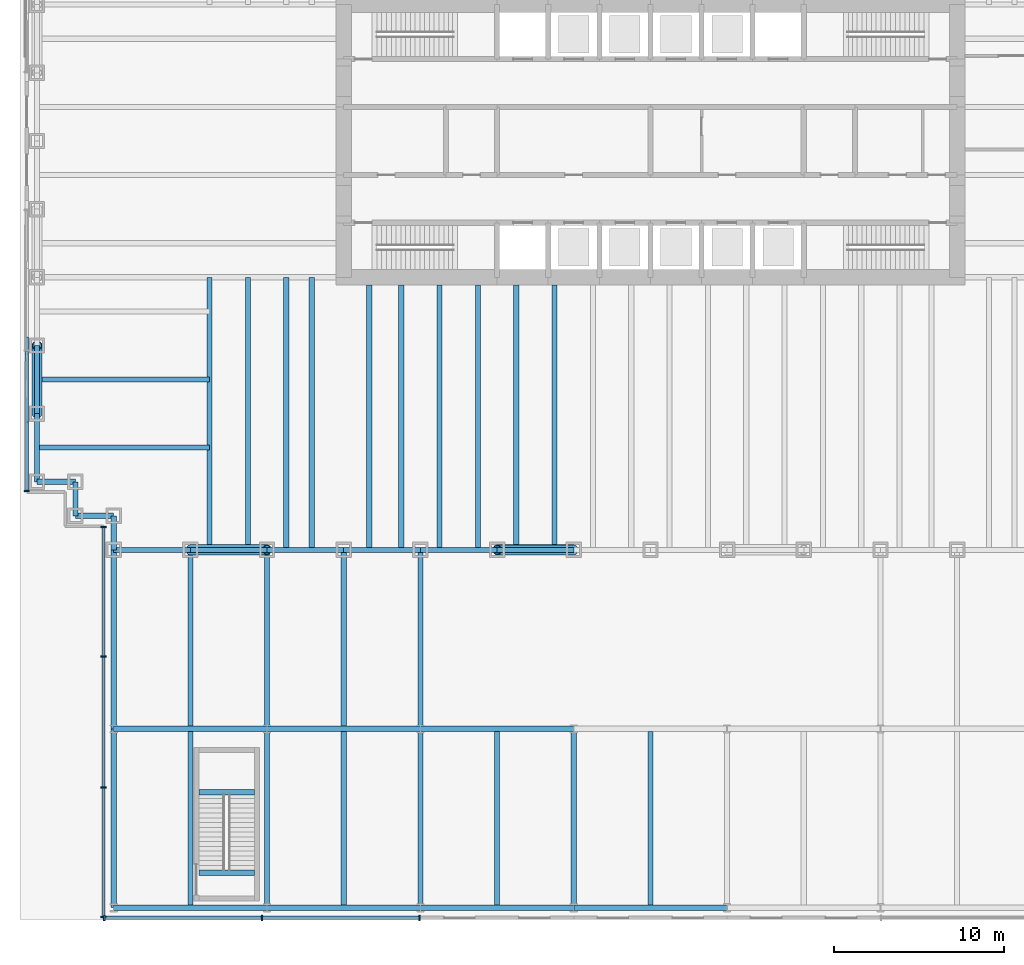
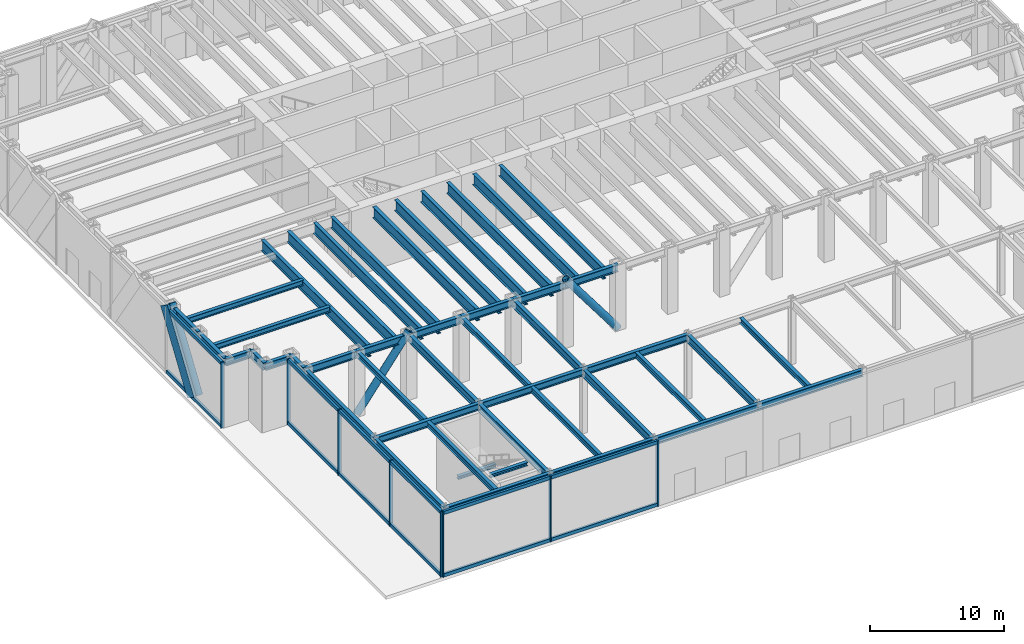
# One storey, part 2 of 17: 46 beams, 24 members, 3 elements without a shape of their own.
"""IFC4 building model written with IfcOpenShell, lengths in metres."""

from ifc_helpers import new_model, si_unit, direction, frame, origin, origin_2d, place, context, subcontext, project, spatial, rectangle, hollow_circle, i_section, extrude, material, material_profile, profile_set, type_object, element, aggregate, save


model = new_model("IFC4")

# Units and contexts
model_context = context("Model", 3, precision=1e-05, world=origin(), true_north=direction((0.0, 1.0)))
body_context = subcontext(model_context, "Body", "Model", "MODEL_VIEW")
ifc_project = project(units=[si_unit("LENGTHUNIT", "METRE"), si_unit("AREAUNIT", "SQUARE_METRE"), si_unit("VOLUMEUNIT", "CUBIC_METRE"), si_unit("PLANEANGLEUNIT", "RADIAN"), si_unit("MASSUNIT", "GRAM", prefix="KILO")], contexts=[model_context])

# Site, building, storey
site_placement = place(None, origin())
site = spatial("IfcSite", under=ifc_project, at=site_placement, CompositionType="ELEMENT")
building_placement = place(site_placement, origin())
building = spatial("IfcBuilding", under=site, at=building_placement, Name="Rheinbord Bourse Tower", CompositionType="ELEMENT")
storey_placement = place(building_placement, origin())
storey = spatial("IfcBuildingStorey", under=building, at=storey_placement, Name="L00", CompositionType="ELEMENT", Elevation=0.0)

# Curtain wall, member
ifc_material_1 = material(Name="Dark glass and black aluminium", Category="aluminium")
curtain_wall_type = type_object("IfcCurtainWallType", Name="CW4 DARK GLASS CURTAIN WALL", PredefinedType="USERDEFINED", material=ifc_material_1)
curtain_wall_1_placement = place(storey_placement, origin())
curtain_wall_1 = element("IfcCurtainWall", 1, at=curtain_wall_1_placement, inside=storey, type_object=curtain_wall_type, Name="Curtain wall CW4 W L00", ObjectType="UNITISED CURTAIN WALL", PredefinedType="USERDEFINED")
ifc_material_2 = material(Name="Black anodised aluminium", Category="aluminium")
ifc_material_profile_1 = material_profile(ifc_material_2, rectangle(XDim=0.199951171875, YDim=1.2099609375, at=origin_2d()), Name="CW4 DIAGONAL MULLION 1210x200")
ifc_profile_set_1 = profile_set([ifc_material_profile_1], Name="Black anodised aluminium")
member_type_1 = type_object("IfcMemberType", Name="CW4 BLACK DIAGONAL MULLION", PredefinedType="USERDEFINED", material=ifc_profile_set_1)
member_1_placement = place(storey_placement, frame((-0.60009765625, 8.0, 0.0), z_axis=(0.0, 0.554700196225, 0.832050294338), x_axis=(-1.0, 0.0, 0.0)))
member_1 = element("IfcMember", 2, at=member_1_placement, type_object=member_type_1, Name="CW4 diagonal mullion a", ObjectType="DIAGONAL MULLION", PredefinedType="USERDEFINED", context=body_context, shape_type="SweptSolid", body=[
    extrude(rectangle(XDim=0.199951171875, YDim=1.2099609375, at=origin_2d()), origin(), (0.0, 0.0, 1.0), 7.211181640625),
])

# Curtain wall, members
curtain_wall_2_placement = place(storey_placement, origin())
curtain_wall_2 = element("IfcCurtainWall", 3, at=curtain_wall_2_placement, inside=storey, type_object=curtain_wall_type, Name="Curtain wall CW4 S L00", ObjectType="UNITISED CURTAIN WALL", PredefinedType="USERDEFINED")
ifc_material_3 = material(Name="Black anodised aluminium", Category="aluminium")
ifc_material_profile_2 = material_profile(ifc_material_3, rectangle(XDim=0.300048828125, YDim=0.090087890625, at=origin_2d()), Name="CW4 MULLION 90x300")
ifc_profile_set_2 = profile_set([ifc_material_profile_2], Name="Black anodised aluminium")
member_type_2 = type_object("IfcMemberType", Name="CW4 BLACK MULLION", PredefinedType="MULLION", material=ifc_profile_set_2)
member_2_placement = place(storey_placement, frame((3.945068359375, -21.60009765625, 0.0), z_axis=(0.0, 0.0, 1.0), x_axis=(0.0, 1.0, 0.0)))
member_2 = element("IfcMember", 4, at=member_2_placement, type_object=member_type_2, Name="CW4 mullion 1", PredefinedType="MULLION", context=body_context, shape_type="SweptSolid", body=[
    extrude(rectangle(XDim=0.300048828125, YDim=0.090087890625, at=origin_2d()), origin(), (0.0, 0.0, 1.0), 6.0),
])
member_3_placement = place(storey_placement, frame((13.199951171875, -21.60009765625, 0.0), z_axis=(0.0, 0.0, 1.0), x_axis=(0.0, 1.0, 0.0)))
member_3 = element("IfcMember", 5, at=member_3_placement, type_object=member_type_2, Name="CW4 mullion 2", PredefinedType="MULLION", context=body_context, shape_type="SweptSolid", body=[
    extrude(rectangle(XDim=0.300048828125, YDim=0.090087890625, at=origin_2d()), origin(), (0.0, 0.0, 1.0), 6.0),
])
member_4_placement = place(storey_placement, frame((22.455078125, -21.60009765625, 0.0), z_axis=(0.0, 0.0, 1.0), x_axis=(0.0, 1.0, 0.0)))
member_4 = element("IfcMember", 6, at=member_4_placement, type_object=member_type_2, Name="CW4 mullion 3", PredefinedType="MULLION", context=body_context, shape_type="SweptSolid", body=[
    extrude(rectangle(XDim=0.300048828125, YDim=0.090087890625, at=origin_2d()), origin(), (0.0, 0.0, 1.0), 6.0),
])

# Member
member_5_placement = place(storey_placement, frame((-0.60009765625, 3.445068359375, 0.0), z_axis=(0.0, 0.0, 1.0), x_axis=(1.0, 0.0, 0.0)))
member_5 = element("IfcMember", 7, at=member_5_placement, type_object=member_type_2, Name="CW4 mullion 3", PredefinedType="MULLION", context=body_context, shape_type="SweptSolid", body=[
    extrude(rectangle(XDim=0.300048828125, YDim=0.090087890625, at=origin_2d()), origin(), (0.0, 0.0, 1.0), 6.0),
])

# Curtain wall, members
curtain_wall_3_placement = place(storey_placement, origin())
curtain_wall_3 = element("IfcCurtainWall", 8, at=curtain_wall_3_placement, inside=storey, type_object=curtain_wall_type, Name="Curtain wall CW4 W L00", ObjectType="UNITISED CURTAIN WALL", PredefinedType="USERDEFINED")
member_6_placement = place(storey_placement, frame((3.89990234375, 1.35498046875, 0.0), z_axis=(0.0, 0.0, 1.0), x_axis=(1.0, 0.0, 0.0)))
member_6 = element("IfcMember", 9, at=member_6_placement, type_object=member_type_2, Name="CW4 mullion 1", PredefinedType="MULLION", context=body_context, shape_type="SweptSolid", body=[
    extrude(rectangle(XDim=0.300048828125, YDim=0.090087890625, at=origin_2d()), origin(), (0.0, 0.0, 1.0), 6.0),
])
member_7_placement = place(storey_placement, frame((3.89990234375, -6.2666015625, 0.0), z_axis=(0.0, 0.0, 1.0), x_axis=(1.0, 0.0, 0.0)))
member_7 = element("IfcMember", 10, at=member_7_placement, type_object=member_type_2, Name="CW4 mullion 2", PredefinedType="MULLION", context=body_context, shape_type="SweptSolid", body=[
    extrude(rectangle(XDim=0.300048828125, YDim=0.090087890625, at=origin_2d()), origin(), (0.0, 0.0, 1.0), 6.0),
])
member_8_placement = place(storey_placement, frame((3.89990234375, -13.933349609375, 0.0), z_axis=(0.0, 0.0, 1.0), x_axis=(1.0, 0.0, 0.0)))
member_8 = element("IfcMember", 11, at=member_8_placement, type_object=member_type_2, Name="CW4 mullion 3", PredefinedType="MULLION", context=body_context, shape_type="SweptSolid", body=[
    extrude(rectangle(XDim=0.300048828125, YDim=0.090087890625, at=origin_2d()), origin(), (0.0, 0.0, 1.0), 6.0),
])
member_9_placement = place(storey_placement, frame((3.89990234375, -21.554931640625, 0.0), z_axis=(0.0, 0.0, 1.0), x_axis=(1.0, 0.0, 0.0)))
member_9 = element("IfcMember", 12, at=member_9_placement, type_object=member_type_2, Name="CW4 mullion 4", PredefinedType="MULLION", context=body_context, shape_type="SweptSolid", body=[
    extrude(rectangle(XDim=0.300048828125, YDim=0.090087890625, at=origin_2d()), origin(), (0.0, 0.0, 1.0), 6.0),
])

# Member
ifc_material_4 = material(Name="Black anodised aluminium", Category="aluminium")
ifc_material_profile_3 = material_profile(ifc_material_4, rectangle(XDim=0.199951171875, YDim=0.300048828125, at=origin_2d()), Name="CW4 TRANSOM 300x200")
ifc_profile_set_3 = profile_set([ifc_material_profile_3], Name="Black anodised aluminium")
member_type_3 = type_object("IfcMemberType", Name="CW4 BLACK TRANSOM", PredefinedType="USERDEFINED", material=ifc_profile_set_3)
member_10_placement = place(storey_placement, frame((3.989990234375, -21.60009765625, 0.14990234375), z_axis=(1.0, 0.0, 0.0), x_axis=(0.0, 1.0, 0.0)))
member_10 = element("IfcMember", 13, at=member_10_placement, type_object=member_type_3, Name="CW4 transom 1.1", ObjectType="TRANSOM", PredefinedType="USERDEFINED", context=body_context, shape_type="SweptSolid", body=[
    extrude(rectangle(XDim=0.199951171875, YDim=0.300048828125, at=origin_2d()), origin(), (0.0, 0.0, 1.0), 9.1650390625),
])

member_11_placement = place(storey_placement, frame((3.989990234375, -21.60009765625, 5.85009765625), z_axis=(1.0, 0.0, 0.0), x_axis=(0.0, 1.0, 0.0)))
member_11 = element("IfcMember", 14, at=member_11_placement, type_object=member_type_3, Name="CW4 transom 1.2", ObjectType="TRANSOM", PredefinedType="USERDEFINED", context=body_context, shape_type="SweptSolid", body=[
    extrude(rectangle(XDim=0.199951171875, YDim=0.300048828125, at=origin_2d()), origin(), (0.0, 0.0, 1.0), 9.1650390625),
])

member_12_placement = place(storey_placement, frame((13.2451171875, -21.60009765625, 0.14990234375), z_axis=(1.0, 0.0, 0.0), x_axis=(0.0, 1.0, 0.0)))
member_12 = element("IfcMember", 15, at=member_12_placement, type_object=member_type_3, Name="CW4 transom 2.1", ObjectType="TRANSOM", PredefinedType="USERDEFINED", context=body_context, shape_type="SweptSolid", body=[
    extrude(rectangle(XDim=0.199951171875, YDim=0.300048828125, at=origin_2d()), origin(), (0.0, 0.0, 1.0), 9.164794921875),
])

member_13_placement = place(storey_placement, frame((13.2451171875, -21.60009765625, 5.85009765625), z_axis=(1.0, 0.0, 0.0), x_axis=(0.0, 1.0, 0.0)))
member_13 = element("IfcMember", 16, at=member_13_placement, type_object=member_type_3, Name="CW4 transom 2.2", ObjectType="TRANSOM", PredefinedType="USERDEFINED", context=body_context, shape_type="SweptSolid", body=[
    extrude(rectangle(XDim=0.199951171875, YDim=0.300048828125, at=origin_2d()), origin(), (0.0, 0.0, 1.0), 9.164794921875),
])

aggregate(curtain_wall_2, [member_2, member_3, member_4, member_10, member_11, member_12, member_13])

member_14_placement = place(storey_placement, frame((-0.60009765625, 11.655029296875, 0.14990234375), z_axis=(0.0, -1.0, 0.0), x_axis=(1.0, 0.0, 0.0)))
member_14 = element("IfcMember", 17, at=member_14_placement, type_object=member_type_3, Name="CW4 transom 2.1", ObjectType="TRANSOM", PredefinedType="USERDEFINED", context=body_context, shape_type="SweptSolid", body=[
    extrude(rectangle(XDim=0.199951171875, YDim=0.300048828125, at=origin_2d()), origin(), (0.0, 0.0, 1.0), 8.1650390625),
])

member_15_placement = place(storey_placement, frame((-0.60009765625, 11.655029296875, 5.85009765625), z_axis=(0.0, -1.0, 0.0), x_axis=(1.0, 0.0, 0.0)))
member_15 = element("IfcMember", 18, at=member_15_placement, type_object=member_type_3, Name="CW4 transom 2.2", ObjectType="TRANSOM", PredefinedType="USERDEFINED", context=body_context, shape_type="SweptSolid", body=[
    extrude(rectangle(XDim=0.199951171875, YDim=0.300048828125, at=origin_2d()), origin(), (0.0, 0.0, 1.0), 8.1650390625),
])

aggregate(curtain_wall_1, [member_5, member_14, member_15, member_1])

member_16_placement = place(storey_placement, frame((3.89990234375, 1.31005859375, 0.14990234375), z_axis=(0.0, -1.0, 0.0), x_axis=(1.0, 0.0, 0.0)))
member_16 = element("IfcMember", 19, at=member_16_placement, type_object=member_type_3, Name="CW4 transom 1.1", ObjectType="TRANSOM", PredefinedType="USERDEFINED", context=body_context, shape_type="SweptSolid", body=[
    extrude(rectangle(XDim=0.199951171875, YDim=0.300048828125, at=origin_2d()), origin(), (0.0, 0.0, 1.0), 7.53173828125),
])

member_17_placement = place(storey_placement, frame((3.89990234375, 1.31005859375, 5.85009765625), z_axis=(0.0, -1.0, 0.0), x_axis=(1.0, 0.0, 0.0)))
member_17 = element("IfcMember", 20, at=member_17_placement, type_object=member_type_3, Name="CW4 transom 1.2", ObjectType="TRANSOM", PredefinedType="USERDEFINED", context=body_context, shape_type="SweptSolid", body=[
    extrude(rectangle(XDim=0.199951171875, YDim=0.300048828125, at=origin_2d()), origin(), (0.0, 0.0, 1.0), 7.53173828125),
])

member_18_placement = place(storey_placement, frame((3.89990234375, -6.311767578125, 0.14990234375), z_axis=(0.0, -1.0, 0.0), x_axis=(1.0, 0.0, 0.0)))
member_18 = element("IfcMember", 21, at=member_18_placement, type_object=member_type_3, Name="CW4 transom 2.1", ObjectType="TRANSOM", PredefinedType="USERDEFINED", context=body_context, shape_type="SweptSolid", body=[
    extrude(rectangle(XDim=0.199951171875, YDim=0.300048828125, at=origin_2d()), origin(), (0.0, 0.0, 1.0), 7.57666015625),
])

member_19_placement = place(storey_placement, frame((3.89990234375, -6.311767578125, 5.85009765625), z_axis=(0.0, -1.0, 0.0), x_axis=(1.0, 0.0, 0.0)))
member_19 = element("IfcMember", 22, at=member_19_placement, type_object=member_type_3, Name="CW4 transom 2.2", ObjectType="TRANSOM", PredefinedType="USERDEFINED", context=body_context, shape_type="SweptSolid", body=[
    extrude(rectangle(XDim=0.199951171875, YDim=0.300048828125, at=origin_2d()), origin(), (0.0, 0.0, 1.0), 7.57666015625),
])

member_20_placement = place(storey_placement, frame((3.89990234375, -13.978271484375, 0.14990234375), z_axis=(0.0, -1.0, 0.0), x_axis=(1.0, 0.0, 0.0)))
member_20 = element("IfcMember", 23, at=member_20_placement, type_object=member_type_3, Name="CW4 transom 3.1", ObjectType="TRANSOM", PredefinedType="USERDEFINED", context=body_context, shape_type="SweptSolid", body=[
    extrude(rectangle(XDim=0.199951171875, YDim=0.300048828125, at=origin_2d()), origin(), (0.0, 0.0, 1.0), 7.53173828125),
])

member_21_placement = place(storey_placement, frame((3.89990234375, -13.978271484375, 5.85009765625), z_axis=(0.0, -1.0, 0.0), x_axis=(1.0, 0.0, 0.0)))
member_21 = element("IfcMember", 24, at=member_21_placement, type_object=member_type_3, Name="CW4 transom 3.2", ObjectType="TRANSOM", PredefinedType="USERDEFINED", context=body_context, shape_type="SweptSolid", body=[
    extrude(rectangle(XDim=0.199951171875, YDim=0.300048828125, at=origin_2d()), origin(), (0.0, 0.0, 1.0), 7.53173828125),
])

aggregate(curtain_wall_3, [member_6, member_7, member_8, member_9, member_16, member_17, member_18, member_19, member_20, member_21])

# Beams
ifc_material_5 = material(Name="Steel S460", Category="steel")
ifc_material_profile_4 = material_profile(ifc_material_5, i_section(OverallWidth=0.302001953125, OverallDepth=1.008056640625, WebThickness=0.02099609375, FlangeThickness=0.0400390625, at=origin_2d()), Name="HEM 1000")
ifc_profile_set_4 = profile_set([ifc_material_profile_4], Name="Steel S460")
beam_type_1 = type_object("IfcBeamType", Name="FLOOR BEAM HEM 1000", PredefinedType="BEAM", material=ifc_profile_set_4)
for number, where, z_axis, x_axis, name in (
    (25, (10.125, 0.0, 5.31591796875), (0.0, 1.0, 0.0), (-1.0, 0.0, 0.0), "Floor beam S-9a L01"),
    (26, (12.375, 0.0, 5.31591796875), (0.0, 1.0, 0.0), (-1.0, 0.0, 0.0), "Floor beam S-9b L01"),
    (27, (14.625, 0.0, 5.31591796875), (0.0, 1.0, 0.0), (-1.0, 0.0, 0.0), "Floor beam S-13.5a L01"),
    (28, (16.125, 0.0, 5.31591796875), (0.0, 1.0, 0.0), (-1.0, 0.0, 0.0), "Floor beam S-13.5b L01"),
):
    element("IfcBeam", number, at=place(storey_placement, frame(where, z_axis=z_axis, x_axis=x_axis)), inside=storey, type_object=beam_type_1, Name=name, PredefinedType="BEAM", context=body_context, shape_type="SweptSolid", body=[
        extrude(i_section(OverallWidth=0.302001953125, OverallDepth=1.008056640625, WebThickness=0.02099609375, FlangeThickness=0.0400390625, at=origin_2d()), origin(), (0.0, 0.0, 1.0), 16.0),
    ])
for number, where, z_axis, x_axis, name in (
    (29, (19.5, 0.0, 5.31591796875), (0.0, 1.0, 0.0), (-1.0, 0.0, 0.0), "Floor beam S-18a L01"),
    (30, (21.375, 0.0, 5.31591796875), (0.0, 1.0, 0.0), (-1.0, 0.0, 0.0), "Floor beam S-18b L01"),
    (31, (23.625, 0.0, 5.31591796875), (0.0, 1.0, 0.0), (-1.0, 0.0, 0.0), "Floor beam S-22.5a L01"),
    (32, (25.875, 0.0, 5.31591796875), (0.0, 1.0, 0.0), (-1.0, 0.0, 0.0), "Floor beam S-22.5b L01"),
    (33, (28.125, 0.0, 5.31591796875), (0.0, 1.0, 0.0), (-1.0, 0.0, 0.0), "Floor beam S-27a L01"),
    (34, (30.375, 0.0, 5.31591796875), (0.0, 1.0, 0.0), (-1.0, 0.0, 0.0), "Floor beam S-27b L01"),
):
    element("IfcBeam", number, at=place(storey_placement, frame(where, z_axis=z_axis, x_axis=x_axis)), inside=storey, type_object=beam_type_1, Name=name, PredefinedType="BEAM", context=body_context, shape_type="SweptSolid", body=[
        extrude(i_section(OverallWidth=0.302001953125, OverallDepth=1.008056640625, WebThickness=0.02099609375, FlangeThickness=0.0400390625, at=origin_2d()), origin(), (0.0, 0.0, 1.0), 15.550048828125),
    ])
ifc_material_6 = material(Name="Steel S460", Category="steel")
ifc_material_profile_5 = material_profile(ifc_material_6, i_section(OverallWidth=0.300048828125, OverallDepth=0.300048828125, WebThickness=0.010986328125, FlangeThickness=0.01904296875, at=origin_2d()), Name="HEB 300")
ifc_profile_set_5 = profile_set([ifc_material_profile_5], Name="Steel S460")
beam_type_2 = type_object("IfcBeamType", Name="LANDING TRIMMER HEB 300", PredefinedType="BEAM", material=ifc_profile_set_5)
for number, where, z_axis, x_axis, name in (
    (35, (9.5, -14.219970703125, 2.64990234375), (1.0, 0.0, 0.0), (0.0, 1.0, 0.0), "Landing trimmer ST5 L00"),
    (36, (9.5, -18.949951171875, 5.669921875), (1.0, 0.0, 0.0), (0.0, 1.0, 0.0), "Well trimmer ST5 under L01"),
):
    element("IfcBeam", number, at=place(storey_placement, frame(where, z_axis=z_axis, x_axis=x_axis)), inside=storey, type_object=beam_type_2, Name=name, PredefinedType="BEAM", context=body_context, shape_type="SweptSolid", body=[
        extrude(i_section(OverallWidth=0.300048828125, OverallDepth=0.300048828125, WebThickness=0.010986328125, FlangeThickness=0.01904296875, at=origin_2d()), origin(), (0.0, 0.0, 1.0), 3.25),
    ])

# Members
ifc_material_7 = material(Name="Steel S460", Category="steel")
ifc_material_profile_6 = material_profile(ifc_material_7, hollow_circle(Radius=0.304931640625, WallThickness=0.050048828125, at=origin_2d()), Name="CHS 610x50")
ifc_profile_set_6 = profile_set([ifc_material_profile_6], Name="Steel S460")
member_type_4 = type_object("IfcMemberType", Name="MEGABRACE CHS 610x50", PredefinedType="BRACE", material=ifc_profile_set_6)
for number, where, z_axis, x_axis, name in (
    (37, (9.0, 0.0, 0.0), (0.6, 0.0, 0.8), (0.0, 1.0, 0.0), "Megabrace S face line a L00"),
    (38, (31.5, 0.0, 0.0), (-0.6, 0.0, 0.8), (0.0, -1.0, 0.0), "Megabrace S face line d L00"),
):
    element("IfcMember", number, at=place(storey_placement, frame(where, z_axis=z_axis, x_axis=x_axis)), inside=storey, type_object=member_type_4, Name=name, PredefinedType="BRACE", context=body_context, shape_type="SweptSolid", body=[
        extrude(hollow_circle(Radius=0.304931640625, WallThickness=0.050048828125, at=origin_2d()), origin(), (0.0, 0.0, 1.0), 7.5),
    ])
member_22_placement = place(storey_placement, frame((0.0, 8.0, 0.0), z_axis=(0.0, 0.554700196225, 0.832050294338), x_axis=(-1.0, 0.0, 0.0)))
element("IfcMember", 39, at=member_22_placement, inside=storey, type_object=member_type_4, Name="Megabrace W face line a L00", PredefinedType="BRACE", context=body_context, shape_type="SweptSolid", body=[
    extrude(hollow_circle(Radius=0.304931640625, WallThickness=0.050048828125, at=origin_2d()), origin(), (0.0, 0.0, 1.0), 7.211181640625),
])

# Beams
ifc_material_8 = material(Name="Steel S460", Category="steel")
ifc_material_profile_7 = material_profile(ifc_material_8, i_section(OverallWidth=0.304931640625, OverallDepth=0.6201171875, WebThickness=0.02099609375, FlangeThickness=0.0400390625, at=origin_2d()), Name="HEM 600")
ifc_profile_set_7 = profile_set([ifc_material_profile_7], Name="Steel S460")
beam_type_3 = type_object("IfcBeamType", Name="PODIUM EDGE BEAM HEM 600", PredefinedType="BEAM", material=ifc_profile_set_7)
for number, where, z_axis, x_axis, name in (
    (40, (4.5, -21.0, 5.510009765625), (1.0, 0.0, 0.0), (0.0, 1.0, 0.0), "Podium edge beam 4.5-13.5 L01"),
    (41, (4.5, -10.5, 5.510009765625), (1.0, 0.0, 0.0), (0.0, 1.0, 0.0), "Podium edge beam 4.5-13.5 L01"),
    (42, (13.5, -21.0, 5.510009765625), (1.0, 0.0, 0.0), (0.0, 1.0, 0.0), "Podium edge beam 13.5-22.5 L01"),
    (43, (13.5, -10.5, 5.510009765625), (1.0, 0.0, 0.0), (0.0, 1.0, 0.0), "Podium edge beam 13.5-22.5 L01"),
    (44, (22.5, -21.0, 5.510009765625), (1.0, 0.0, 0.0), (0.0, 1.0, 0.0), "Podium edge beam 22.5-31.5 L01"),
    (45, (22.5, -10.5, 5.510009765625), (1.0, 0.0, 0.0), (0.0, 1.0, 0.0), "Podium edge beam 22.5-31.5 L01"),
    (46, (31.5, -21.0, 5.510009765625), (1.0, 0.0, 0.0), (0.0, 1.0, 0.0), "Podium edge beam 31.5-40.5 L01"),
):
    element("IfcBeam", number, at=place(storey_placement, frame(where, z_axis=z_axis, x_axis=x_axis)), inside=storey, type_object=beam_type_3, Name=name, PredefinedType="BEAM", context=body_context, shape_type="SweptSolid", body=[
        extrude(i_section(OverallWidth=0.304931640625, OverallDepth=0.6201171875, WebThickness=0.02099609375, FlangeThickness=0.0400390625, at=origin_2d()), origin(), (0.0, 0.0, 1.0), 9.0),
    ])
ifc_material_9 = material(Name="Steel S460", Category="steel")
ifc_material_profile_8 = material_profile(ifc_material_9, i_section(OverallWidth=0.303955078125, OverallDepth=0.716064453125, WebThickness=0.02099609375, FlangeThickness=0.0400390625, at=origin_2d()), Name="HEM 700")
ifc_profile_set_8 = profile_set([ifc_material_profile_8], Name="Steel S460")
beam_type_4 = type_object("IfcBeamType", Name="PODIUM GIRDER HEM 700", PredefinedType="BEAM", material=ifc_profile_set_8)
for number, where, z_axis, x_axis, name in (
    (47, (4.5, -21.0, 5.4619140625), (0.0, 1.0, 0.0), (-1.0, 0.0, 0.0), "Podium girder 4.5 L01"),
    (48, (4.5, -10.5, 5.4619140625), (0.0, 1.0, 0.0), (-1.0, 0.0, 0.0), "Podium girder 4.5 L01"),
    (49, (13.5, -21.0, 5.4619140625), (0.0, 1.0, 0.0), (-1.0, 0.0, 0.0), "Podium girder 13.5 L01"),
    (50, (13.5, -10.5, 5.4619140625), (0.0, 1.0, 0.0), (-1.0, 0.0, 0.0), "Podium girder 13.5 L01"),
    (51, (22.5, -21.0, 5.4619140625), (0.0, 1.0, 0.0), (-1.0, 0.0, 0.0), "Podium girder 22.5 L01"),
    (52, (22.5, -10.5, 5.4619140625), (0.0, 1.0, 0.0), (-1.0, 0.0, 0.0), "Podium girder 22.5 L01"),
    (53, (31.5, -21.0, 5.4619140625), (0.0, 1.0, 0.0), (-1.0, 0.0, 0.0), "Podium girder 31.5 L01"),
):
    element("IfcBeam", number, at=place(storey_placement, frame(where, z_axis=z_axis, x_axis=x_axis)), inside=storey, type_object=beam_type_4, Name=name, PredefinedType="BEAM", context=body_context, shape_type="SweptSolid", body=[
        extrude(i_section(OverallWidth=0.303955078125, OverallDepth=0.716064453125, WebThickness=0.02099609375, FlangeThickness=0.0400390625, at=origin_2d()), origin(), (0.0, 0.0, 1.0), 10.5),
    ])
ifc_material_10 = material(Name="Steel S460", Category="steel")
ifc_material_profile_9 = material_profile(ifc_material_10, i_section(OverallWidth=0.300048828125, OverallDepth=0.5, WebThickness=0.014404296875, FlangeThickness=0.028076171875, at=origin_2d()), Name="HEB 500")
ifc_profile_set_9 = profile_set([ifc_material_profile_9], Name="Steel S460")
beam_type_5 = type_object("IfcBeamType", Name="PODIUM JOIST HEB 500", PredefinedType="JOIST", material=ifc_profile_set_9)
for number, where, z_axis, x_axis, name in (
    (54, (9.0, -21.0, 5.570068359375), (0.0, 1.0, 0.0), (-1.0, 0.0, 0.0), "Podium joist 9 L01"),
    (55, (9.0, -10.347412109375, 5.570068359375), (0.0, 1.0, 0.0), (-1.0, 0.0, 0.0), "Podium joist 9 L01"),
    (56, (18.0, -21.0, 5.570068359375), (0.0, 1.0, 0.0), (-1.0, 0.0, 0.0), "Podium joist 18 L01"),
    (57, (18.0, -10.347412109375, 5.570068359375), (0.0, 1.0, 0.0), (-1.0, 0.0, 0.0), "Podium joist 18 L01"),
    (58, (27.0, -21.0, 5.570068359375), (0.0, 1.0, 0.0), (-1.0, 0.0, 0.0), "Podium joist 27 L01"),
    (59, (36.0, -21.0, 5.570068359375), (0.0, 1.0, 0.0), (-1.0, 0.0, 0.0), "Podium joist 36 L01"),
):
    element("IfcBeam", number, at=place(storey_placement, frame(where, z_axis=z_axis, x_axis=x_axis)), inside=storey, type_object=beam_type_5, Name=name, PredefinedType="JOIST", context=body_context, shape_type="SweptSolid", body=[
        extrude(i_section(OverallWidth=0.300048828125, OverallDepth=0.5, WebThickness=0.014404296875, FlangeThickness=0.028076171875, at=origin_2d()), origin(), (0.0, 0.0, 1.0), 10.347412109375),
    ])
ifc_material_11 = material(Name="Steel S460", Category="steel")
ifc_material_profile_10 = material_profile(ifc_material_11, i_section(OverallWidth=0.304931640625, OverallDepth=0.66796875, WebThickness=0.02099609375, FlangeThickness=0.0400390625, at=origin_2d()), Name="HEM 650")
ifc_profile_set_10 = profile_set([ifc_material_profile_10], Name="Steel S460")
beam_type_6 = type_object("IfcBeamType", Name="SPANDREL HEM 650", PredefinedType="SPANDREL", material=ifc_profile_set_10)
for number, where, z_axis, x_axis, name in (
    (60, (4.5, 0.0, 5.486083984375), (1.0, 0.0, 0.0), (0.0, 1.0, 0.0), "Spandrel SW-E-S-9 under L01"),
    (61, (9.0, 0.0, 5.486083984375), (1.0, 0.0, 0.0), (0.0, 1.0, 0.0), "Spandrel S-9-S-13.5 under L01"),
    (62, (13.5, 0.0, 5.486083984375), (1.0, 0.0, 0.0), (0.0, 1.0, 0.0), "Spandrel S-13.5-S-18 under L01"),
    (63, (18.0, 0.0, 5.486083984375), (1.0, 0.0, 0.0), (0.0, 1.0, 0.0), "Spandrel S-18-S-22.5 under L01"),
    (64, (22.5, 0.0, 5.486083984375), (1.0, 0.0, 0.0), (0.0, 1.0, 0.0), "Spandrel S-22.5-S-27 under L01"),
    (65, (27.0, 0.0, 5.486083984375), (1.0, 0.0, 0.0), (0.0, 1.0, 0.0), "Spandrel S-27-S-31.5 under L01"),
):
    element("IfcBeam", number, at=place(storey_placement, frame(where, z_axis=z_axis, x_axis=x_axis)), inside=storey, type_object=beam_type_6, Name=name, PredefinedType="SPANDREL", context=body_context, shape_type="SweptSolid", body=[
        extrude(i_section(OverallWidth=0.304931640625, OverallDepth=0.66796875, WebThickness=0.02099609375, FlangeThickness=0.0400390625, at=origin_2d()), origin(), (0.0, 0.0, 1.0), 4.5),
    ])
for number, where, z_axis, x_axis, name in (
    (66, (0.0, 12.0, 5.486083984375), (0.0, -1.0, 0.0), (1.0, 0.0, 0.0), "Spandrel W-12-W-8 under L01"),
    (67, (0.0, 8.0, 5.486083984375), (0.0, -1.0, 0.0), (1.0, 0.0, 0.0), "Spandrel W-8-SW-A under L01"),
):
    element("IfcBeam", number, at=place(storey_placement, frame(where, z_axis=z_axis, x_axis=x_axis)), inside=storey, type_object=beam_type_6, Name=name, PredefinedType="SPANDREL", context=body_context, shape_type="SweptSolid", body=[
        extrude(i_section(OverallWidth=0.304931640625, OverallDepth=0.66796875, WebThickness=0.02099609375, FlangeThickness=0.0400390625, at=origin_2d()), origin(), (0.0, 0.0, 1.0), 4.0),
    ])
beam_1_placement = place(storey_placement, frame((0.0, 4.0, 5.486083984375), z_axis=(1.0, 0.0, 0.0), x_axis=(0.0, 1.0, 0.0)))
element("IfcBeam", 68, at=beam_1_placement, inside=storey, type_object=beam_type_6, Name="Spandrel SW-A-SW-B under L01", PredefinedType="SPANDREL", context=body_context, shape_type="SweptSolid", body=[
    extrude(i_section(OverallWidth=0.304931640625, OverallDepth=0.66796875, WebThickness=0.02099609375, FlangeThickness=0.0400390625, at=origin_2d()), origin(), (0.0, 0.0, 1.0), 2.25),
])
beam_2_placement = place(storey_placement, frame((2.25, 4.0, 5.486083984375), z_axis=(0.0, -1.0, 0.0), x_axis=(1.0, 0.0, 0.0)))
element("IfcBeam", 69, at=beam_2_placement, inside=storey, type_object=beam_type_6, Name="Spandrel SW-B-SW-C under L01", PredefinedType="SPANDREL", context=body_context, shape_type="SweptSolid", body=[
    extrude(i_section(OverallWidth=0.304931640625, OverallDepth=0.66796875, WebThickness=0.02099609375, FlangeThickness=0.0400390625, at=origin_2d()), origin(), (0.0, 0.0, 1.0), 2.0),
])
beam_3_placement = place(storey_placement, frame((2.25, 2.0, 5.486083984375), z_axis=(1.0, 0.0, 0.0), x_axis=(0.0, 1.0, 0.0)))
element("IfcBeam", 70, at=beam_3_placement, inside=storey, type_object=beam_type_6, Name="Spandrel SW-C-SW-D under L01", PredefinedType="SPANDREL", context=body_context, shape_type="SweptSolid", body=[
    extrude(i_section(OverallWidth=0.304931640625, OverallDepth=0.66796875, WebThickness=0.02099609375, FlangeThickness=0.0400390625, at=origin_2d()), origin(), (0.0, 0.0, 1.0), 2.25),
])
beam_4_placement = place(storey_placement, frame((4.5, 2.0, 5.486083984375), z_axis=(0.0, -1.0, 0.0), x_axis=(1.0, 0.0, 0.0)))
element("IfcBeam", 71, at=beam_4_placement, inside=storey, type_object=beam_type_6, Name="Spandrel SW-D-SW-E under L01", PredefinedType="SPANDREL", context=body_context, shape_type="SweptSolid", body=[
    extrude(i_section(OverallWidth=0.304931640625, OverallDepth=0.66796875, WebThickness=0.02099609375, FlangeThickness=0.0400390625, at=origin_2d()), origin(), (0.0, 0.0, 1.0), 2.0),
])
ifc_material_12 = material(Name="Steel S460", Category="steel")
ifc_material_profile_11 = material_profile(ifc_material_12, i_section(OverallWidth=0.300048828125, OverallDepth=0.5, WebThickness=0.014404296875, FlangeThickness=0.028076171875, at=origin_2d()), Name="HEB 500")
ifc_profile_set_11 = profile_set([ifc_material_profile_11], Name="Steel S460")
beam_type_7 = type_object("IfcBeamType", Name="TIE BEAM HEB 500", PredefinedType="JOIST", material=ifc_profile_set_11)
for number, where, z_axis, x_axis, name in (
    (72, (0.0, 6.0, 5.570068359375), (1.0, 0.0, 0.0), (0.0, 1.0, 0.0), "Tie west 6 L01"),
    (73, (0.0, 10.0, 5.570068359375), (1.0, 0.0, 0.0), (0.0, 1.0, 0.0), "Tie west 10 L01"),
):
    element("IfcBeam", number, at=place(storey_placement, frame(where, z_axis=z_axis, x_axis=x_axis)), inside=storey, type_object=beam_type_7, Name=name, PredefinedType="JOIST", context=body_context, shape_type="SweptSolid", body=[
        extrude(i_section(OverallWidth=0.300048828125, OverallDepth=0.5, WebThickness=0.014404296875, FlangeThickness=0.028076171875, at=origin_2d()), origin(), (0.0, 0.0, 1.0), 10.125),
    ])

save(model, "model.ifc")
